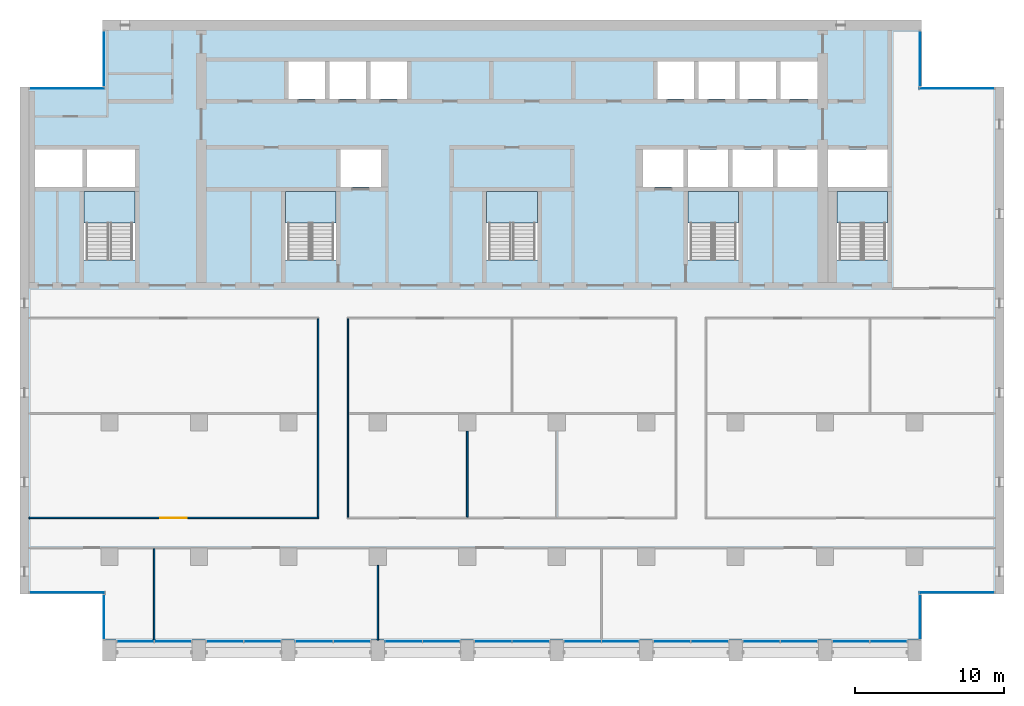
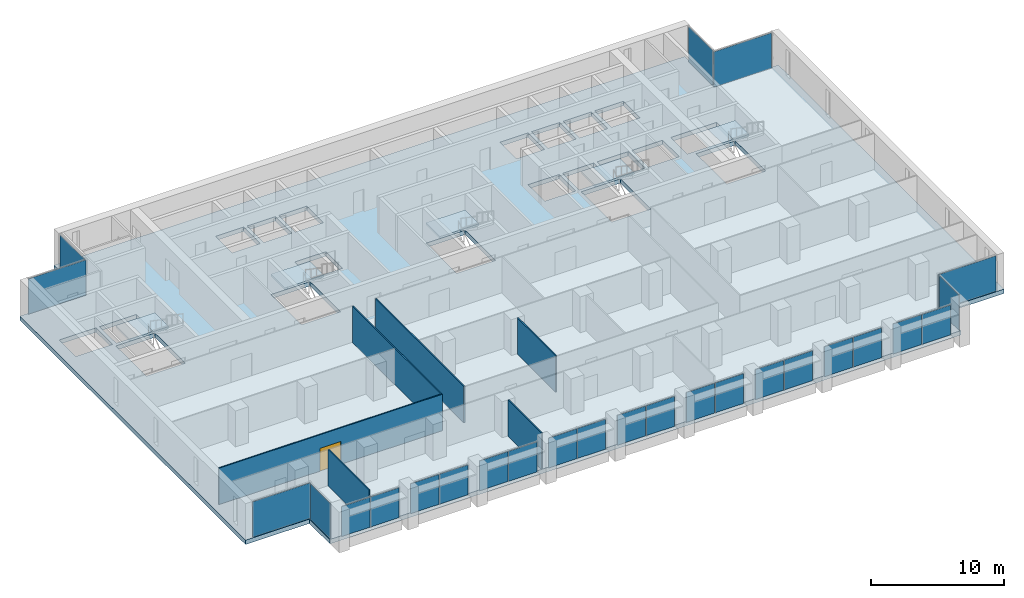
# One storey, part 7 of 17: 26 plates, 6 slabs, 6 walls, 1 door, 1 opening, 22 elements without a shape of their own.
"""IFC4 building model written with IfcOpenShell, lengths in metres."""

from ifc_helpers import new_model, si_unit, direction, frame, frame_2d, origin, origin_2d, place, context, subcontext, project, spatial, polyline, rectangle, outline, extrude, material, layer, layer_set, type_object, element, fill, aggregate, save


model = new_model("IFC4")

# Units and contexts
model_context = context("Model", 3, precision=1e-05, world=origin(), true_north=direction((0.0, 1.0)))
body_context = subcontext(model_context, "Body", "Model", "MODEL_VIEW")
ifc_project = project(units=[si_unit("LENGTHUNIT", "METRE"), si_unit("AREAUNIT", "SQUARE_METRE"), si_unit("VOLUMEUNIT", "CUBIC_METRE"), si_unit("PLANEANGLEUNIT", "RADIAN"), si_unit("MASSUNIT", "GRAM", prefix="KILO")], contexts=[model_context])

# Site, building, storey
site_placement = place(None, origin())
site = spatial("IfcSite", under=ifc_project, at=site_placement, CompositionType="ELEMENT")
building_placement = place(site_placement, origin())
building = spatial("IfcBuilding", under=site, at=building_placement, Name="Calvaro Tower", CompositionType="ELEMENT")
storey_placement = place(building_placement, frame((0.0, 0.0, 185.5)))
storey = spatial("IfcBuildingStorey", under=building, at=storey_placement, Name="L46", CompositionType="ELEMENT", Elevation=185.5)

# Slab
ifc_material_1 = material(Name="Concrete C40/50", Category="concrete")
ifc_layer_1 = layer(ifc_material_1, 0.39990234375)
ifc_layer_set_1 = layer_set([ifc_layer_1], Name="Concrete C40/50")
slab_type_1 = type_object("IfcSlabType", Name="Floor slab 400 C40/50", PredefinedType="FLOOR", material=ifc_layer_set_1)
slab_1_placement = place(storey_placement, frame((0.0, 0.0, -0.39990234375)))
element("IfcSlab", 1, at=slab_1_placement, inside=storey, type_object=slab_type_1, Name="Floor slab", PredefinedType="FLOOR", context=body_context, shape_type="SweptSolid", body=[
    extrude(outline(polyline([(66.449951171875, 7.5), (66.449951171875, 4.39990234375), (11.550048828125, 4.39990234375), (11.550048828125, 7.5), (6.0, 7.5), (6.0, 41.5), (11.550048828125, 41.5), (11.550048828125, 46.0), (66.449951171875, 46.0), (66.449951171875, 41.5), (72.0, 41.5), (72.0, 7.5), (66.449951171875, 7.5)]), holes=[polyline([(10.300048828125, 29.909912109375), (10.300048828125, 34.5), (12.0, 34.5), (13.699951171875, 34.5), (13.699951171875, 29.909912109375), (12.0, 29.909912109375), (10.300048828125, 29.909912109375)]), polyline([(23.800048828125, 29.909912109375), (23.800048828125, 34.5), (25.5, 34.5), (27.199951171875, 34.5), (27.199951171875, 29.909912109375), (25.5, 29.909912109375), (23.800048828125, 29.909912109375)]), polyline([(37.300048828125, 29.909912109375), (37.300048828125, 34.5), (39.0, 34.5), (40.699951171875, 34.5), (40.699951171875, 29.909912109375), (39.0, 29.909912109375), (37.300048828125, 29.909912109375)]), polyline([(50.800048828125, 29.909912109375), (50.800048828125, 34.5), (52.5, 34.5), (54.199951171875, 34.5), (54.199951171875, 29.909912109375), (52.5, 29.909912109375), (50.800048828125, 29.909912109375)]), polyline([(60.800048828125, 29.909912109375), (60.800048828125, 34.5), (62.5, 34.5), (64.199951171875, 34.5), (64.199951171875, 29.909912109375), (62.5, 29.909912109375), (60.800048828125, 29.909912109375)]), polyline([(50.800048828125, 34.800048828125), (53.5, 34.800048828125), (53.5, 37.300048828125), (50.800048828125, 37.300048828125), (50.800048828125, 34.800048828125)]), polyline([(53.800048828125, 34.800048828125), (56.5, 34.800048828125), (56.5, 37.300048828125), (53.800048828125, 37.300048828125), (53.800048828125, 34.800048828125)]), polyline([(56.800048828125, 34.800048828125), (59.5, 34.800048828125), (59.5, 37.300048828125), (56.800048828125, 37.300048828125), (56.800048828125, 34.800048828125)]), polyline([(24.0, 40.699951171875), (26.449951171875, 40.699951171875), (26.449951171875, 43.199951171875), (24.0, 43.199951171875), (24.0, 40.699951171875)]), polyline([(26.75, 40.699951171875), (29.199951171875, 40.699951171875), (29.199951171875, 43.199951171875), (26.75, 43.199951171875), (26.75, 40.699951171875)]), polyline([(29.5, 40.699951171875), (31.949951171875, 40.699951171875), (31.949951171875, 43.199951171875), (29.5, 43.199951171875), (29.5, 40.699951171875)]), polyline([(48.75, 40.699951171875), (51.199951171875, 40.699951171875), (51.199951171875, 43.199951171875), (48.75, 43.199951171875), (48.75, 40.699951171875)]), polyline([(51.5, 40.699951171875), (53.949951171875, 40.699951171875), (53.949951171875, 43.199951171875), (51.5, 43.199951171875), (51.5, 40.699951171875)]), polyline([(54.25, 40.699951171875), (56.699951171875, 40.699951171875), (56.699951171875, 43.199951171875), (54.25, 43.199951171875), (54.25, 40.699951171875)]), polyline([(57.0, 40.699951171875), (59.5, 40.699951171875), (59.5, 43.199951171875), (57.0, 43.199951171875), (57.0, 40.699951171875)]), polyline([(7.0, 34.800048828125), (10.199951171875, 34.800048828125), (10.199951171875, 37.300048828125), (7.0, 37.300048828125), (7.0, 34.800048828125)]), polyline([(10.5, 34.800048828125), (13.699951171875, 34.800048828125), (13.699951171875, 37.300048828125), (10.5, 37.300048828125), (10.5, 34.800048828125)]), polyline([(60.199951171875, 34.800048828125), (64.199951171875, 34.800048828125), (64.199951171875, 37.300048828125), (60.199951171875, 37.300048828125), (60.199951171875, 34.800048828125)]), polyline([(27.5, 34.800048828125), (30.199951171875, 34.800048828125), (30.199951171875, 37.300048828125), (27.5, 37.300048828125), (27.5, 34.800048828125)]), polyline([(47.800048828125, 34.800048828125), (50.5, 34.800048828125), (50.5, 37.300048828125), (47.800048828125, 37.300048828125), (47.800048828125, 34.800048828125)])]), origin(), (0.0, 0.0, 1.0), 0.39990234375),
])

# Curtain wall, plates
ifc_material_2 = material(Name="Anodised aluminium", Category="aluminium")
curtain_wall_type = type_object("IfcCurtainWallType", Name="Office curtain wall, upper zone", PredefinedType="NOTDEFINED", material=ifc_material_2)
curtain_wall_1_placement = place(storey_placement, origin())
curtain_wall_1 = element("IfcCurtainWall", 2, at=curtain_wall_1_placement, inside=storey, type_object=curtain_wall_type, Name="CW3 south curtain wall", PredefinedType="NOTDEFINED")
ifc_material_3 = material(Name="Glass", Category="glass")
ifc_layer_2 = layer(ifc_material_3, 0.035888671875)
ifc_layer_set_2 = layer_set([ifc_layer_2], Name="Glass")
plate_type = type_object("IfcPlateType", Name="Glass panel S3 36", PredefinedType="CURTAIN_PANEL", material=ifc_layer_set_2)
plate_1_placement = place(storey_placement, frame((13.739990234375, 4.31005859375, 0.0), z_axis=(0.0, 0.0, 1.0), x_axis=(1.0, 0.0, 0.0)))
plate_1 = element("IfcPlate", 3, at=plate_1_placement, type_object=plate_type, Name="CW3 glass panel 1.1", PredefinedType="CURTAIN_PANEL", context=body_context, shape_type="SweptSolid", body=[
    extrude(rectangle(XDim=2.4599609375, YDim=0.035888671875, at=origin_2d()), origin(), (0.0, 0.0, 1.0), 2.75),
])
plate_2_placement = place(storey_placement, frame((16.260009765625, 4.31005859375, 0.0), z_axis=(0.0, 0.0, 1.0), x_axis=(1.0, 0.0, 0.0)))
plate_2 = element("IfcPlate", 4, at=plate_2_placement, type_object=plate_type, Name="CW3 glass panel 2.1", PredefinedType="CURTAIN_PANEL", context=body_context, shape_type="SweptSolid", body=[
    extrude(rectangle(XDim=2.4599609375, YDim=0.035888671875, at=origin_2d()), origin(), (0.0, 0.0, 1.0), 2.75),
])
aggregate(curtain_wall_1, [plate_1, plate_2])

curtain_wall_2_placement = place(storey_placement, origin())
curtain_wall_2 = element("IfcCurtainWall", 5, at=curtain_wall_2_placement, inside=storey, type_object=curtain_wall_type, Name="CW3 south curtain wall", PredefinedType="NOTDEFINED")
plate_3_placement = place(storey_placement, frame((19.739990234375, 4.31005859375, 0.0), z_axis=(0.0, 0.0, 1.0), x_axis=(1.0, 0.0, 0.0)))
plate_3 = element("IfcPlate", 6, at=plate_3_placement, type_object=plate_type, Name="CW3 glass panel 1.1", PredefinedType="CURTAIN_PANEL", context=body_context, shape_type="SweptSolid", body=[
    extrude(rectangle(XDim=2.4599609375, YDim=0.035888671875, at=origin_2d()), origin(), (0.0, 0.0, 1.0), 2.75),
])
plate_4_placement = place(storey_placement, frame((22.260009765625, 4.31005859375, 0.0), z_axis=(0.0, 0.0, 1.0), x_axis=(1.0, 0.0, 0.0)))
plate_4 = element("IfcPlate", 7, at=plate_4_placement, type_object=plate_type, Name="CW3 glass panel 2.1", PredefinedType="CURTAIN_PANEL", context=body_context, shape_type="SweptSolid", body=[
    extrude(rectangle(XDim=2.4599609375, YDim=0.035888671875, at=origin_2d()), origin(), (0.0, 0.0, 1.0), 2.75),
])
aggregate(curtain_wall_2, [plate_3, plate_4])

curtain_wall_3_placement = place(storey_placement, origin())
curtain_wall_3 = element("IfcCurtainWall", 8, at=curtain_wall_3_placement, inside=storey, type_object=curtain_wall_type, Name="CW3 south curtain wall", PredefinedType="NOTDEFINED")
plate_5_placement = place(storey_placement, frame((25.739990234375, 4.31005859375, 0.0), z_axis=(0.0, 0.0, 1.0), x_axis=(1.0, 0.0, 0.0)))
plate_5 = element("IfcPlate", 9, at=plate_5_placement, type_object=plate_type, Name="CW3 glass panel 1.1", PredefinedType="CURTAIN_PANEL", context=body_context, shape_type="SweptSolid", body=[
    extrude(rectangle(XDim=2.4599609375, YDim=0.035888671875, at=origin_2d()), origin(), (0.0, 0.0, 1.0), 2.75),
])
plate_6_placement = place(storey_placement, frame((28.260009765625, 4.31005859375, 0.0), z_axis=(0.0, 0.0, 1.0), x_axis=(1.0, 0.0, 0.0)))
plate_6 = element("IfcPlate", 10, at=plate_6_placement, type_object=plate_type, Name="CW3 glass panel 2.1", PredefinedType="CURTAIN_PANEL", context=body_context, shape_type="SweptSolid", body=[
    extrude(rectangle(XDim=2.4599609375, YDim=0.035888671875, at=origin_2d()), origin(), (0.0, 0.0, 1.0), 2.75),
])
aggregate(curtain_wall_3, [plate_5, plate_6])

curtain_wall_4_placement = place(storey_placement, origin())
curtain_wall_4 = element("IfcCurtainWall", 11, at=curtain_wall_4_placement, inside=storey, type_object=curtain_wall_type, Name="CW3 south curtain wall", PredefinedType="NOTDEFINED")
plate_7_placement = place(storey_placement, frame((31.739990234375, 4.31005859375, 0.0), z_axis=(0.0, 0.0, 1.0), x_axis=(1.0, 0.0, 0.0)))
plate_7 = element("IfcPlate", 12, at=plate_7_placement, type_object=plate_type, Name="CW3 glass panel 1.1", PredefinedType="CURTAIN_PANEL", context=body_context, shape_type="SweptSolid", body=[
    extrude(rectangle(XDim=2.4599609375, YDim=0.035888671875, at=origin_2d()), origin(), (0.0, 0.0, 1.0), 2.75),
])
plate_8_placement = place(storey_placement, frame((34.260009765625, 4.31005859375, 0.0), z_axis=(0.0, 0.0, 1.0), x_axis=(1.0, 0.0, 0.0)))
plate_8 = element("IfcPlate", 13, at=plate_8_placement, type_object=plate_type, Name="CW3 glass panel 2.1", PredefinedType="CURTAIN_PANEL", context=body_context, shape_type="SweptSolid", body=[
    extrude(rectangle(XDim=2.4599609375, YDim=0.035888671875, at=origin_2d()), origin(), (0.0, 0.0, 1.0), 2.75),
])
aggregate(curtain_wall_4, [plate_7, plate_8])

curtain_wall_5_placement = place(storey_placement, origin())
curtain_wall_5 = element("IfcCurtainWall", 14, at=curtain_wall_5_placement, inside=storey, type_object=curtain_wall_type, Name="CW3 south curtain wall", PredefinedType="NOTDEFINED")
plate_9_placement = place(storey_placement, frame((37.739990234375, 4.31005859375, 0.0), z_axis=(0.0, 0.0, 1.0), x_axis=(1.0, 0.0, 0.0)))
plate_9 = element("IfcPlate", 15, at=plate_9_placement, type_object=plate_type, Name="CW3 glass panel 1.1", PredefinedType="CURTAIN_PANEL", context=body_context, shape_type="SweptSolid", body=[
    extrude(rectangle(XDim=2.4599609375, YDim=0.035888671875, at=origin_2d()), origin(), (0.0, 0.0, 1.0), 2.75),
])
plate_10_placement = place(storey_placement, frame((40.260009765625, 4.31005859375, 0.0), z_axis=(0.0, 0.0, 1.0), x_axis=(1.0, 0.0, 0.0)))
plate_10 = element("IfcPlate", 16, at=plate_10_placement, type_object=plate_type, Name="CW3 glass panel 2.1", PredefinedType="CURTAIN_PANEL", context=body_context, shape_type="SweptSolid", body=[
    extrude(rectangle(XDim=2.4599609375, YDim=0.035888671875, at=origin_2d()), origin(), (0.0, 0.0, 1.0), 2.75),
])
aggregate(curtain_wall_5, [plate_9, plate_10])

curtain_wall_6_placement = place(storey_placement, origin())
curtain_wall_6 = element("IfcCurtainWall", 17, at=curtain_wall_6_placement, inside=storey, type_object=curtain_wall_type, Name="CW3 south curtain wall", PredefinedType="NOTDEFINED")
plate_11_placement = place(storey_placement, frame((43.739990234375, 4.31005859375, 0.0), z_axis=(0.0, 0.0, 1.0), x_axis=(1.0, 0.0, 0.0)))
plate_11 = element("IfcPlate", 18, at=plate_11_placement, type_object=plate_type, Name="CW3 glass panel 1.1", PredefinedType="CURTAIN_PANEL", context=body_context, shape_type="SweptSolid", body=[
    extrude(rectangle(XDim=2.4599609375, YDim=0.035888671875, at=origin_2d()), origin(), (0.0, 0.0, 1.0), 2.75),
])
plate_12_placement = place(storey_placement, frame((46.260009765625, 4.31005859375, 0.0), z_axis=(0.0, 0.0, 1.0), x_axis=(1.0, 0.0, 0.0)))
plate_12 = element("IfcPlate", 19, at=plate_12_placement, type_object=plate_type, Name="CW3 glass panel 2.1", PredefinedType="CURTAIN_PANEL", context=body_context, shape_type="SweptSolid", body=[
    extrude(rectangle(XDim=2.4599609375, YDim=0.035888671875, at=origin_2d()), origin(), (0.0, 0.0, 1.0), 2.75),
])
aggregate(curtain_wall_6, [plate_11, plate_12])

curtain_wall_7_placement = place(storey_placement, origin())
curtain_wall_7 = element("IfcCurtainWall", 20, at=curtain_wall_7_placement, inside=storey, type_object=curtain_wall_type, Name="CW3 south curtain wall", PredefinedType="NOTDEFINED")
plate_13_placement = place(storey_placement, frame((49.739990234375, 4.31005859375, 0.0), z_axis=(0.0, 0.0, 1.0), x_axis=(1.0, 0.0, 0.0)))
plate_13 = element("IfcPlate", 21, at=plate_13_placement, type_object=plate_type, Name="CW3 glass panel 1.1", PredefinedType="CURTAIN_PANEL", context=body_context, shape_type="SweptSolid", body=[
    extrude(rectangle(XDim=2.4599609375, YDim=0.035888671875, at=origin_2d()), origin(), (0.0, 0.0, 1.0), 2.75),
])
plate_14_placement = place(storey_placement, frame((52.260009765625, 4.31005859375, 0.0), z_axis=(0.0, 0.0, 1.0), x_axis=(1.0, 0.0, 0.0)))
plate_14 = element("IfcPlate", 22, at=plate_14_placement, type_object=plate_type, Name="CW3 glass panel 2.1", PredefinedType="CURTAIN_PANEL", context=body_context, shape_type="SweptSolid", body=[
    extrude(rectangle(XDim=2.4599609375, YDim=0.035888671875, at=origin_2d()), origin(), (0.0, 0.0, 1.0), 2.75),
])
aggregate(curtain_wall_7, [plate_13, plate_14])

curtain_wall_8_placement = place(storey_placement, origin())
curtain_wall_8 = element("IfcCurtainWall", 23, at=curtain_wall_8_placement, inside=storey, type_object=curtain_wall_type, Name="CW3 south curtain wall", PredefinedType="NOTDEFINED")
plate_15_placement = place(storey_placement, frame((55.739990234375, 4.31005859375, 0.0), z_axis=(0.0, 0.0, 1.0), x_axis=(1.0, 0.0, 0.0)))
plate_15 = element("IfcPlate", 24, at=plate_15_placement, type_object=plate_type, Name="CW3 glass panel 1.1", PredefinedType="CURTAIN_PANEL", context=body_context, shape_type="SweptSolid", body=[
    extrude(rectangle(XDim=2.4599609375, YDim=0.035888671875, at=origin_2d()), origin(), (0.0, 0.0, 1.0), 2.75),
])
plate_16_placement = place(storey_placement, frame((58.260009765625, 4.31005859375, 0.0), z_axis=(0.0, 0.0, 1.0), x_axis=(1.0, 0.0, 0.0)))
plate_16 = element("IfcPlate", 25, at=plate_16_placement, type_object=plate_type, Name="CW3 glass panel 2.1", PredefinedType="CURTAIN_PANEL", context=body_context, shape_type="SweptSolid", body=[
    extrude(rectangle(XDim=2.4599609375, YDim=0.035888671875, at=origin_2d()), origin(), (0.0, 0.0, 1.0), 2.75),
])
aggregate(curtain_wall_8, [plate_15, plate_16])

curtain_wall_9_placement = place(storey_placement, origin())
curtain_wall_9 = element("IfcCurtainWall", 26, at=curtain_wall_9_placement, inside=storey, type_object=curtain_wall_type, Name="CW3 south curtain wall", PredefinedType="NOTDEFINED")
plate_17_placement = place(storey_placement, frame((61.739990234375, 4.31005859375, 0.0), z_axis=(0.0, 0.0, 1.0), x_axis=(1.0, 0.0, 0.0)))
plate_17 = element("IfcPlate", 27, at=plate_17_placement, type_object=plate_type, Name="CW3 glass panel 1.1", PredefinedType="CURTAIN_PANEL", context=body_context, shape_type="SweptSolid", body=[
    extrude(rectangle(XDim=2.4599609375, YDim=0.035888671875, at=origin_2d()), origin(), (0.0, 0.0, 1.0), 2.75),
])
plate_18_placement = place(storey_placement, frame((64.260009765625, 4.31005859375, 0.0), z_axis=(0.0, 0.0, 1.0), x_axis=(1.0, 0.0, 0.0)))
plate_18 = element("IfcPlate", 28, at=plate_18_placement, type_object=plate_type, Name="CW3 glass panel 2.1", PredefinedType="CURTAIN_PANEL", context=body_context, shape_type="SweptSolid", body=[
    extrude(rectangle(XDim=2.4599609375, YDim=0.035888671875, at=origin_2d()), origin(), (0.0, 0.0, 1.0), 2.75),
])
aggregate(curtain_wall_9, [plate_17, plate_18])

# Curtain wall, plate
curtain_wall_10_placement = place(storey_placement, origin())
curtain_wall_10 = element("IfcCurtainWall", 29, at=curtain_wall_10_placement, inside=storey, type_object=curtain_wall_type, Name="CW3 corner curtain wall", PredefinedType="NOTDEFINED")
plate_19_placement = place(storey_placement, frame((11.639892578125, 5.949951171875, 0.0), z_axis=(0.0, 0.0, 1.0), x_axis=(0.0, 1.0, 0.0)))
plate_19 = element("IfcPlate", 30, at=plate_19_placement, type_object=plate_type, Name="CW3 glass panel 1.1", PredefinedType="CURTAIN_PANEL", context=body_context, shape_type="SweptSolid", body=[
    extrude(rectangle(XDim=2.97998046875, YDim=0.035888671875, at=origin_2d()), origin(), (0.0, 0.0, 1.0), 3.25),
])
aggregate(curtain_wall_10, [plate_19])

curtain_wall_11_placement = place(storey_placement, origin())
curtain_wall_11 = element("IfcCurtainWall", 31, at=curtain_wall_11_placement, inside=storey, type_object=curtain_wall_type, Name="CW3 corner curtain wall", PredefinedType="NOTDEFINED")
plate_20_placement = place(storey_placement, frame((9.1650390625, 7.590087890625, 0.0), z_axis=(0.0, 0.0, 1.0), x_axis=(1.0, 0.0, 0.0)))
plate_20 = element("IfcPlate", 32, at=plate_20_placement, type_object=plate_type, Name="CW3 glass panel 1.1", PredefinedType="CURTAIN_PANEL", context=body_context, shape_type="SweptSolid", body=[
    extrude(rectangle(XDim=5.010009765625, YDim=0.035888671875, at=origin_2d()), origin(), (0.0, 0.0, 1.0), 3.25),
])
aggregate(curtain_wall_11, [plate_20])

curtain_wall_12_placement = place(storey_placement, origin())
curtain_wall_12 = element("IfcCurtainWall", 33, at=curtain_wall_12_placement, inside=storey, type_object=curtain_wall_type, Name="CW3 corner curtain wall", PredefinedType="NOTDEFINED")
plate_21_placement = place(storey_placement, frame((11.639892578125, 43.39990234375, 0.0), z_axis=(0.0, 0.0, 1.0), x_axis=(0.0, 1.0, 0.0)))
plate_21 = element("IfcPlate", 34, at=plate_21_placement, type_object=plate_type, Name="CW3 glass panel 1.1", PredefinedType="CURTAIN_PANEL", context=body_context, shape_type="SweptSolid", body=[
    extrude(rectangle(XDim=3.679931640625, YDim=0.035888671875, at=origin_2d()), origin(), (0.0, 0.0, 1.0), 3.25),
])
aggregate(curtain_wall_12, [plate_21])

curtain_wall_13_placement = place(storey_placement, origin())
curtain_wall_13 = element("IfcCurtainWall", 35, at=curtain_wall_13_placement, inside=storey, type_object=curtain_wall_type, Name="CW3 corner curtain wall", PredefinedType="NOTDEFINED")
plate_22_placement = place(storey_placement, frame((9.1650390625, 41.409912109375, 0.0), z_axis=(0.0, 0.0, 1.0), x_axis=(1.0, 0.0, 0.0)))
plate_22 = element("IfcPlate", 36, at=plate_22_placement, type_object=plate_type, Name="CW3 glass panel 1.1", PredefinedType="CURTAIN_PANEL", context=body_context, shape_type="SweptSolid", body=[
    extrude(rectangle(XDim=5.010009765625, YDim=0.035888671875, at=origin_2d()), origin(), (0.0, 0.0, 1.0), 3.25),
])
aggregate(curtain_wall_13, [plate_22])

curtain_wall_14_placement = place(storey_placement, origin())
curtain_wall_14 = element("IfcCurtainWall", 37, at=curtain_wall_14_placement, inside=storey, type_object=curtain_wall_type, Name="CW3 corner curtain wall", PredefinedType="NOTDEFINED")
plate_23_placement = place(storey_placement, frame((66.360107421875, 5.949951171875, 0.0), z_axis=(0.0, 0.0, 1.0), x_axis=(0.0, 1.0, 0.0)))
plate_23 = element("IfcPlate", 38, at=plate_23_placement, type_object=plate_type, Name="CW3 glass panel 1.1", PredefinedType="CURTAIN_PANEL", context=body_context, shape_type="SweptSolid", body=[
    extrude(rectangle(XDim=2.97998046875, YDim=0.035888671875, at=origin_2d()), origin(), (0.0, 0.0, 1.0), 3.25),
])
aggregate(curtain_wall_14, [plate_23])

curtain_wall_15_placement = place(storey_placement, origin())
curtain_wall_15 = element("IfcCurtainWall", 39, at=curtain_wall_15_placement, inside=storey, type_object=curtain_wall_type, Name="CW3 corner curtain wall", PredefinedType="NOTDEFINED")
plate_24_placement = place(storey_placement, frame((68.8349609375, 7.590087890625, 0.0), z_axis=(0.0, 0.0, 1.0), x_axis=(1.0, 0.0, 0.0)))
plate_24 = element("IfcPlate", 40, at=plate_24_placement, type_object=plate_type, Name="CW3 glass panel 1.1", PredefinedType="CURTAIN_PANEL", context=body_context, shape_type="SweptSolid", body=[
    extrude(rectangle(XDim=5.010009765625, YDim=0.035888671875, at=origin_2d()), origin(), (0.0, 0.0, 1.0), 3.25),
])
aggregate(curtain_wall_15, [plate_24])

curtain_wall_16_placement = place(storey_placement, origin())
curtain_wall_16 = element("IfcCurtainWall", 41, at=curtain_wall_16_placement, inside=storey, type_object=curtain_wall_type, Name="CW3 corner curtain wall", PredefinedType="NOTDEFINED")
plate_25_placement = place(storey_placement, frame((66.360107421875, 43.39990234375, 0.0), z_axis=(0.0, 0.0, 1.0), x_axis=(0.0, 1.0, 0.0)))
plate_25 = element("IfcPlate", 42, at=plate_25_placement, type_object=plate_type, Name="CW3 glass panel 1.1", PredefinedType="CURTAIN_PANEL", context=body_context, shape_type="SweptSolid", body=[
    extrude(rectangle(XDim=3.679931640625, YDim=0.035888671875, at=origin_2d()), origin(), (0.0, 0.0, 1.0), 3.25),
])
aggregate(curtain_wall_16, [plate_25])

curtain_wall_17_placement = place(storey_placement, origin())
curtain_wall_17 = element("IfcCurtainWall", 43, at=curtain_wall_17_placement, inside=storey, type_object=curtain_wall_type, Name="CW3 corner curtain wall", PredefinedType="NOTDEFINED")
plate_26_placement = place(storey_placement, frame((68.8349609375, 41.409912109375, 0.0), z_axis=(0.0, 0.0, 1.0), x_axis=(1.0, 0.0, 0.0)))
plate_26 = element("IfcPlate", 44, at=plate_26_placement, type_object=plate_type, Name="CW3 glass panel 1.1", PredefinedType="CURTAIN_PANEL", context=body_context, shape_type="SweptSolid", body=[
    extrude(rectangle(XDim=5.010009765625, YDim=0.035888671875, at=origin_2d()), origin(), (0.0, 0.0, 1.0), 3.25),
])
aggregate(curtain_wall_17, [plate_26])

# Stair, slab
ifc_material_4 = material(Name="Concrete C40/50", Category="concrete")
stair_type = type_object("IfcStairType", Name="Exit stair 1400 2 flights", PredefinedType="HALF_TURN_STAIR", material=ifc_material_4)
stair_1_placement = place(storey_placement, origin())
stair_1 = element("IfcStair", 45, at=stair_1_placement, inside=storey, type_object=stair_type, Name="Exit stair S1", PredefinedType="HALF_TURN_STAIR")
ifc_material_5 = material(Name="Concrete C40/50", Category="concrete")
ifc_layer_3 = layer(ifc_material_5, 0.199951171875)
ifc_layer_set_3 = layer_set([ifc_layer_3], Name="Concrete C40/50")
slab_type_2 = type_object("IfcSlabType", Name="Stair landing", PredefinedType="LANDING", material=ifc_layer_set_3)
slab_2_placement = place(storey_placement, frame((0.0, 0.0, 1.675048828125)))
slab_2 = element("IfcSlab", 46, at=slab_2_placement, type_object=slab_type_2, Name="Exit stair 1, landing 1", PredefinedType="LANDING", context=body_context, shape_type="SweptSolid", body=[
    extrude(outline(polyline([(11.89990234375, 32.389892578125), (10.5, 32.389892578125), (10.5, 32.39990234375), (10.300048828125, 32.39990234375), (10.300048828125, 34.5), (10.5, 34.5), (11.89990234375, 34.5), (12.10009765625, 34.5), (13.5, 34.5), (13.699951171875, 34.5), (13.699951171875, 32.39990234375), (13.5, 32.39990234375), (13.5, 32.389892578125), (12.10009765625, 32.389892578125), (12.10009765625, 32.39990234375), (11.89990234375, 32.39990234375), (11.89990234375, 32.389892578125)])), origin(), (0.0, 0.0, 1.0), 0.199951171875),
])
aggregate(stair_1, [slab_2])

stair_2_placement = place(storey_placement, origin())
stair_2 = element("IfcStair", 47, at=stair_2_placement, inside=storey, type_object=stair_type, Name="Exit stair S2", PredefinedType="HALF_TURN_STAIR")
slab_3_placement = place(storey_placement, frame((0.0, 0.0, 1.675048828125)))
slab_3 = element("IfcSlab", 48, at=slab_3_placement, type_object=slab_type_2, Name="Exit stair 2, landing 1", PredefinedType="LANDING", context=body_context, shape_type="SweptSolid", body=[
    extrude(outline(polyline([(25.39990234375, 32.389892578125), (24.0, 32.389892578125), (24.0, 32.39990234375), (23.800048828125, 32.39990234375), (23.800048828125, 34.5), (24.0, 34.5), (25.39990234375, 34.5), (25.60009765625, 34.5), (27.0, 34.5), (27.199951171875, 34.5), (27.199951171875, 32.39990234375), (27.0, 32.39990234375), (27.0, 32.389892578125), (25.60009765625, 32.389892578125), (25.60009765625, 32.39990234375), (25.39990234375, 32.39990234375), (25.39990234375, 32.389892578125)])), origin(), (0.0, 0.0, 1.0), 0.199951171875),
])
aggregate(stair_2, [slab_3])

stair_3_placement = place(storey_placement, origin())
stair_3 = element("IfcStair", 49, at=stair_3_placement, inside=storey, type_object=stair_type, Name="Exit stair S3", PredefinedType="HALF_TURN_STAIR")
slab_4_placement = place(storey_placement, frame((0.0, 0.0, 1.675048828125)))
slab_4 = element("IfcSlab", 50, at=slab_4_placement, type_object=slab_type_2, Name="Exit stair 3, landing 1", PredefinedType="LANDING", context=body_context, shape_type="SweptSolid", body=[
    extrude(outline(polyline([(38.89990234375, 32.389892578125), (37.5, 32.389892578125), (37.5, 32.39990234375), (37.300048828125, 32.39990234375), (37.300048828125, 34.5), (37.5, 34.5), (38.89990234375, 34.5), (39.10009765625, 34.5), (40.5, 34.5), (40.699951171875, 34.5), (40.699951171875, 32.39990234375), (40.5, 32.39990234375), (40.5, 32.389892578125), (39.10009765625, 32.389892578125), (39.10009765625, 32.39990234375), (38.89990234375, 32.39990234375), (38.89990234375, 32.389892578125)])), origin(), (0.0, 0.0, 1.0), 0.199951171875),
])
aggregate(stair_3, [slab_4])

stair_4_placement = place(storey_placement, origin())
stair_4 = element("IfcStair", 51, at=stair_4_placement, inside=storey, type_object=stair_type, Name="Exit stair S4", PredefinedType="HALF_TURN_STAIR")
slab_5_placement = place(storey_placement, frame((0.0, 0.0, 1.675048828125)))
slab_5 = element("IfcSlab", 52, at=slab_5_placement, type_object=slab_type_2, Name="Exit stair 4, landing 1", PredefinedType="LANDING", context=body_context, shape_type="SweptSolid", body=[
    extrude(outline(polyline([(52.39990234375, 32.389892578125), (51.0, 32.389892578125), (51.0, 32.39990234375), (50.800048828125, 32.39990234375), (50.800048828125, 34.5), (51.0, 34.5), (52.39990234375, 34.5), (52.60009765625, 34.5), (54.0, 34.5), (54.199951171875, 34.5), (54.199951171875, 32.39990234375), (54.0, 32.39990234375), (54.0, 32.389892578125), (52.60009765625, 32.389892578125), (52.60009765625, 32.39990234375), (52.39990234375, 32.39990234375), (52.39990234375, 32.389892578125)])), origin(), (0.0, 0.0, 1.0), 0.199951171875),
])
aggregate(stair_4, [slab_5])

stair_5_placement = place(storey_placement, origin())
stair_5 = element("IfcStair", 53, at=stair_5_placement, inside=storey, type_object=stair_type, Name="Exit stair S5", PredefinedType="HALF_TURN_STAIR")
slab_6_placement = place(storey_placement, frame((0.0, 0.0, 1.675048828125)))
slab_6 = element("IfcSlab", 54, at=slab_6_placement, type_object=slab_type_2, Name="Exit stair 5, landing 1", PredefinedType="LANDING", context=body_context, shape_type="SweptSolid", body=[
    extrude(outline(polyline([(62.39990234375, 32.389892578125), (61.0, 32.389892578125), (61.0, 32.39990234375), (60.800048828125, 32.39990234375), (60.800048828125, 34.5), (61.0, 34.5), (62.39990234375, 34.5), (62.60009765625, 34.5), (64.0, 34.5), (64.199951171875, 34.5), (64.199951171875, 32.39990234375), (64.0, 32.39990234375), (64.0, 32.389892578125), (62.60009765625, 32.389892578125), (62.60009765625, 32.39990234375), (62.39990234375, 32.39990234375), (62.39990234375, 32.389892578125)])), origin(), (0.0, 0.0, 1.0), 0.199951171875),
])
aggregate(stair_5, [slab_6])

# Wall, opening, door
ifc_material_6 = material(Name="Plasterboard on steel studs", Category="steel")
ifc_layer_4 = layer(ifc_material_6, 0.10009765625)
ifc_layer_set_4 = layer_set([ifc_layer_4], Name="Plasterboard on steel studs")
wall_type = type_object("IfcWallType", Name="Partition 100", PredefinedType="PARTITIONING", material=ifc_layer_set_4)
wall_1_placement = place(storey_placement, frame((6.60009765625, 12.60009765625, 0.0), z_axis=(0.0, 0.0, 1.0), x_axis=(1.0, 0.0, 0.0)))
wall_1 = element("IfcWall", 55, at=wall_1_placement, inside=storey, type_object=wall_type, Name="Partition T27.W002", PredefinedType="PARTITIONING", context=body_context, shape_type="SweptSolid", body=[
    extrude(rectangle(XDim=19.449951171875, YDim=0.10009765625, at=frame_2d((9.72509765625, 0.0))), origin(), (0.0, 0.0, 1.0), 3.35009765625),
])
opening_placement = place(wall_1_placement, frame((8.800048828125, 0.0, 0.0)))
opening = element("IfcOpeningElement", 56, at=opening_placement, cuts=wall_1, Name="Opening T27.005", PredefinedType="OPENING", context=body_context, shape_type="SweptSolid", body=[
    extrude(rectangle(XDim=1.800048828125, YDim=2.10009765625, at=frame_2d((0.89990234375, 1.050048828125))), frame((0.0, 0.06005859375, 0.0), z_axis=(0.0, -1.0, 0.0), x_axis=(1.0, 0.0, 0.0)), (0.0, 0.0, 1.0), 0.1201171875),
])
ifc_material_7 = material(Name="Timber", Category="wood")
door_type = type_object("IfcDoorType", Name="Internal double door 1800 x 2100", OperationType="DOUBLE_DOOR_SINGLE_SWING", PredefinedType="DOOR", material=ifc_material_7)
door_placement = place(opening_placement, origin())
door = element("IfcDoor", 57, at=door_placement, inside=storey, type_object=door_type, Name="Door T27.005", OperationType="DOUBLE_DOOR_SINGLE_SWING", OverallHeight=2.10009765625, OverallWidth=1.800048828125, PredefinedType="DOOR", context=body_context, shape_type="SweptSolid", body=[
    extrude(rectangle(XDim=1.800048828125, YDim=2.10009765625, at=frame_2d((0.89990234375, 1.050048828125))), frame((0.0, 0.02490234375, 0.0), z_axis=(0.0, -1.0, 0.0), x_axis=(1.0, 0.0, 0.0)), (0.0, 0.0, 1.0), 0.050048828125),
])
fill(opening, door)

# Walls
wall_2_placement = place(storey_placement, frame((15.0, 4.39990234375, 0.0), z_axis=(0.0, 0.0, 1.0), x_axis=(0.0, 1.0, 0.0)))
element("IfcWall", 58, at=wall_2_placement, inside=storey, type_object=wall_type, Name="Partition T27.W012", PredefinedType="PARTITIONING", context=body_context, shape_type="SweptSolid", body=[
    extrude(rectangle(XDim=6.150146484375, YDim=0.10009765625, at=frame_2d((3.0751953125, 0.0))), origin(), (0.0, 0.0, 1.0), 3.35009765625),
])
for number, where, z_axis, x_axis, name in (
    (59, (26.0, 12.64990234375, 0.0), (0.0, 0.0, 1.0), (0.0, 1.0, 0.0), "Partition T27.W013"),
    (60, (28.0, 12.64990234375, 0.0), (0.0, 0.0, 1.0), (0.0, 1.0, 0.0), "Partition T27.W014"),
):
    element("IfcWall", number, at=place(storey_placement, frame(where, z_axis=z_axis, x_axis=x_axis)), inside=storey, type_object=wall_type, Name=name, PredefinedType="PARTITIONING", context=body_context, shape_type="SweptSolid", body=[
        extrude(rectangle(XDim=13.300048828125, YDim=0.10009765625, at=frame_2d((6.64990234375, 0.0))), origin(), (0.0, 0.0, 1.0), 3.35009765625),
    ])
wall_3_placement = place(storey_placement, frame((30.0, 4.39990234375, 0.0), z_axis=(0.0, 0.0, 1.0), x_axis=(0.0, 1.0, 0.0)))
element("IfcWall", 61, at=wall_3_placement, inside=storey, type_object=wall_type, Name="Partition T27.W015", PredefinedType="PARTITIONING", context=body_context, shape_type="SweptSolid", body=[
    extrude(rectangle(XDim=5.025146484375, YDim=0.10009765625, at=frame_2d((2.5126953125, 0.0))), origin(), (0.0, 0.0, 1.0), 3.35009765625),
])
wall_4_placement = place(storey_placement, frame((36.0, 12.64990234375, 0.0), z_axis=(0.0, 0.0, 1.0), x_axis=(0.0, 1.0, 0.0)))
element("IfcWall", 62, at=wall_4_placement, inside=storey, type_object=wall_type, Name="Partition T27.W016", PredefinedType="PARTITIONING", context=body_context, shape_type="SweptSolid", body=[
    extrude(rectangle(XDim=5.775146484375, YDim=0.10009765625, at=frame_2d((2.8876953125, 0.0))), origin(), (0.0, 0.0, 1.0), 3.35009765625),
])

save(model, "model.ifc")
